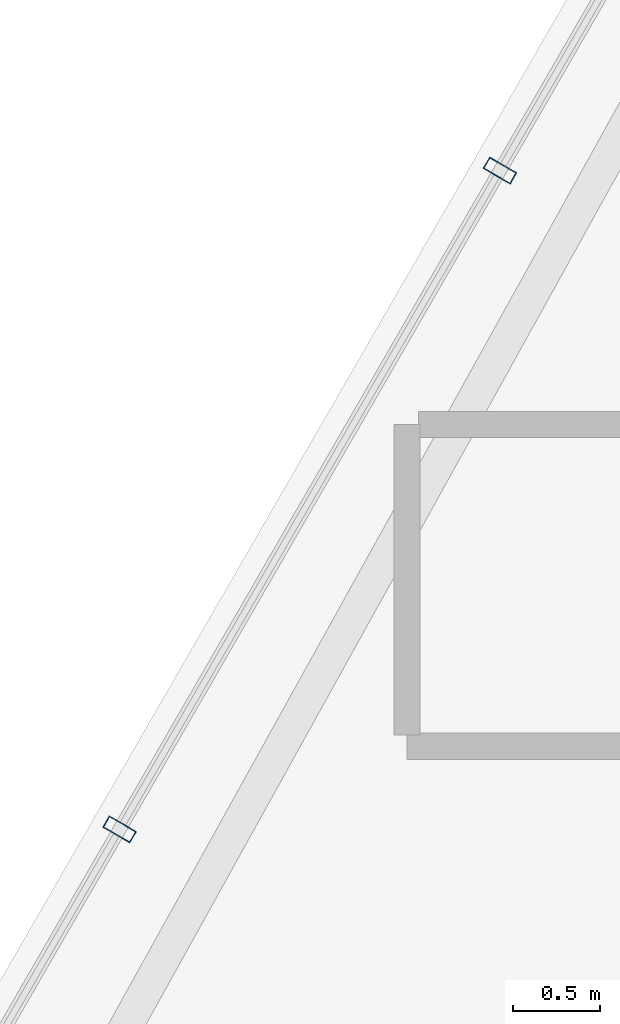
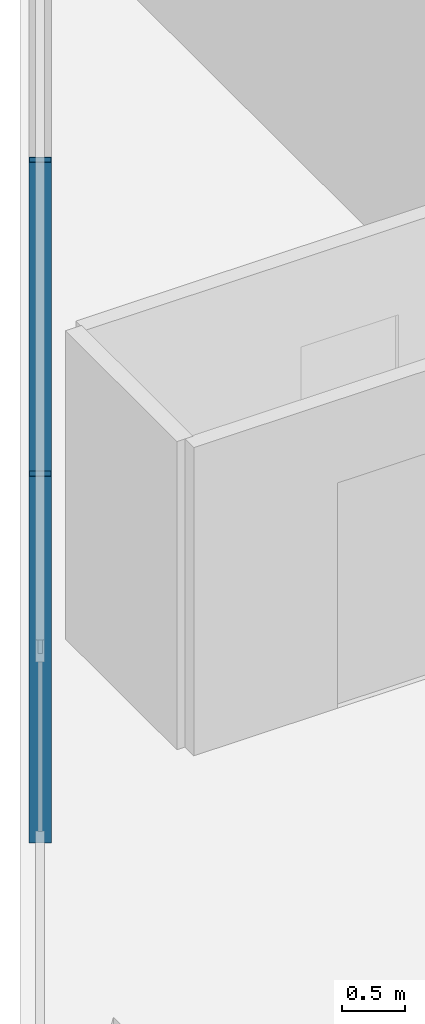
# One storey, part 4 of 29: 2 members, 1 element without a shape of its own.
"""IFC4 building model written with IfcOpenShell, lengths in metres."""

import ifcopenshell
import ifcopenshell.guid

model = None  # the IFC model being written
_history = None  # IfcOwnerHistory: only IFC2X3 demands one
_inside = {}  # id of a spatial element -> (the spatial element, [elements in it])
_under = {}  # id of a project, library or spatial element -> (it, [spatial elements below it])
_declared = {}  # id of a project -> (the project, [libraries it declares])
_typed = {}  # id of a type object -> (the type object, [elements of that type])
_made_of = {}  # id of a material, layer set ... -> (it, [elements and type objects made of it])


def new_model(schema):
    """Start an empty IFC model of exactly this schema.

    Asked for "IFC4X3", IfcOpenShell would pick the latest addendum, in which some entities
    have other attributes; the version numbers below select the first issue.
    IFC2X3 requires an IfcOwnerHistory on every rooted entity: one is made here for all.
    """
    global model, _history
    if schema == "IFC4X3":
        model = ifcopenshell.file(schema_version=(4, 3, 0, 0))
    else:
        model = ifcopenshell.file(schema=schema)
    _inside.clear()
    _under.clear()
    _declared.clear()
    _typed.clear()
    _made_of.clear()
    _history = None
    if model.schema == "IFC2X3":
        org = make("IfcOrganization", Name="unknown")
        user = make(
            "IfcPersonAndOrganization",
            ThePerson=make("IfcPerson", FamilyName="unknown"),
            TheOrganization=org,
        )
        app = make(
            "IfcApplication",
            ApplicationDeveloper=org,
            Version="unknown",
            ApplicationFullName="unknown",
            ApplicationIdentifier="unknown",
        )
        _history = make(
            "IfcOwnerHistory",
            OwningUser=user,
            OwningApplication=app,
            ChangeAction="ADDED",
            CreationDate=0,
        )
    return model


def make(cls, **values):
    """One entity of the class cls with the attributes given. An attribute that is None is left unset."""
    return model.create_entity(
        cls, **{name: value for name, value in values.items() if value is not None}
    )


def rooted(cls, **values):
    """An entity with a GlobalId (a new one), such as an element, a storey or a relation."""
    return make(cls, GlobalId=ifcopenshell.guid.new(), OwnerHistory=_history, **values)


def si_unit(unit_type, name, prefix=None):
    """IfcSIUnit, for example si_unit("LENGTHUNIT", "METRE", prefix="MILLI")."""
    return make("IfcSIUnit", UnitType=unit_type, Prefix=prefix, Name=name)


def assignment(units):
    """IfcUnitAssignment: the units of a project."""
    return None if units is None else make("IfcUnitAssignment", Units=units)


def point(xyz):
    """IfcCartesianPoint."""
    return None if xyz is None else make("IfcCartesianPoint", Coordinates=xyz)


def direction(xyz):
    """IfcDirection."""
    return None if xyz is None else make("IfcDirection", DirectionRatios=xyz)


def frame(location, z_axis=None, x_axis=None):
    """IfcAxis2Placement3D, a coordinate frame: its origin and axes. An axis left out is left unset."""
    return make(
        "IfcAxis2Placement3D",
        Location=point(location),
        Axis=direction(z_axis),
        RefDirection=direction(x_axis),
    )


def frame_2d(location, x_axis=None):
    """IfcAxis2Placement2D, a coordinate frame in the plane: its origin and x axis."""
    return make(
        "IfcAxis2Placement2D", Location=point(location), RefDirection=direction(x_axis)
    )


def origin():
    """The frame at (0, 0, 0) with its axes left unset."""
    return frame((0.0, 0.0, 0.0))


def origin_2d():
    """The frame at (0, 0) in the plane with its x axis left unset."""
    return frame_2d((0.0, 0.0))


def place(relative_to, where):
    """IfcLocalPlacement: puts the frame where relative to a parent placement (None: the world)."""
    return make(
        "IfcLocalPlacement", PlacementRelTo=relative_to, RelativePlacement=where
    )


def context(
    kind, dimensions, precision=None, world=None, true_north=None, identifier=None
):
    """IfcGeometricRepresentationContext, for example the 3D "Model" context."""
    return make(
        "IfcGeometricRepresentationContext",
        ContextIdentifier=identifier,
        ContextType=kind,
        CoordinateSpaceDimension=dimensions,
        Precision=precision,
        WorldCoordinateSystem=world,
        TrueNorth=true_north,
    )


def subcontext(parent, identifier, kind, view, scale=None):
    """IfcGeometricRepresentationSubContext, for example "Body" below "Model"."""
    return make(
        "IfcGeometricRepresentationSubContext",
        ContextIdentifier=identifier,
        ContextType=kind,
        ParentContext=parent,
        TargetScale=scale,
        TargetView=view,
    )


def project(units=None, contexts=None):
    """IfcProject with its units and contexts."""
    return rooted(
        "IfcProject",
        Name="project",
        RepresentationContexts=contexts,
        UnitsInContext=assignment(units),
    )


def spatial(cls, under=None, at=None, **own):
    """A site, building, storey or space (cls), placed at a placement, below another one or the project."""
    s = rooted(cls, ObjectPlacement=at, **own)
    if under is not None:
        _under.setdefault(under.id(), (under, []))[1].append(s)
    return s


def profile(cls, at=None, kind="AREA", **sizes):
    """A parametric profile (cls). Its sizes go by their IFC names, for example OverallWidth=200.0."""
    return make(cls, ProfileType=kind, Position=at, **sizes)


def hollow_rectangle(**sizes):
    """IfcRectangleHollowProfileDef."""
    return profile("IfcRectangleHollowProfileDef", **sizes)


def extrude(swept, where, along, depth):
    """IfcExtrudedAreaSolid: the profile swept, set in the frame where, extruded along a direction by depth."""
    return make(
        "IfcExtrudedAreaSolid",
        SweptArea=swept,
        Position=where,
        ExtrudedDirection=direction(along),
        Depth=depth,
    )


def shape(context_of_items, identifier, shape_type, items):
    """IfcShapeRepresentation: the items that make up one representation, for example the "Body"."""
    return make(
        "IfcShapeRepresentation",
        ContextOfItems=context_of_items,
        RepresentationIdentifier=identifier,
        RepresentationType=shape_type,
        Items=items,
    )


def material(Name=None, Category=None):
    """IfcMaterial."""
    return make("IfcMaterial", Name=Name, Category=Category)


def layer(
    of_material, thickness, ventilated=None, Name=None, Category=None, Priority=None
):
    """IfcMaterialLayer: one layer of a wall or slab, of a material (None: an air gap)."""
    return make(
        "IfcMaterialLayer",
        Material=of_material,
        LayerThickness=thickness,
        IsVentilated=ventilated,
        Name=Name,
        Category=Category,
        Priority=Priority,
    )


def layer_set(layers, Name=None):
    """IfcMaterialLayerSet."""
    return make("IfcMaterialLayerSet", MaterialLayers=layers, LayerSetName=Name)


def material_profile(
    of_material, cross_section, Name=None, Category=None, Priority=None
):
    """IfcMaterialProfile: a cross section and its material."""
    return make(
        "IfcMaterialProfile",
        Name=Name,
        Material=of_material,
        Profile=cross_section,
        Priority=Priority,
        Category=Category,
    )


def profile_set(profiles, Name=None, composite=None):
    """IfcMaterialProfileSet."""
    return make(
        "IfcMaterialProfileSet",
        Name=Name,
        MaterialProfiles=profiles,
        CompositeProfile=composite,
    )


def made_of(thing, what):
    """Note that an element or type object is made of a material, layer set ...; save() writes the relation."""
    if what is not None:
        _made_of.setdefault(what.id(), (what, []))[1].append(thing)
    return thing


def type_object(cls, material=None, **own):
    """A type object (cls), such as IfcWallType, which elements share."""
    return made_of(rooted(cls, **own), material)


def element(
    cls,
    number,
    at=None,
    inside=None,
    cuts=None,
    type_object=None,
    material=None,
    context=None,
    identifier="Body",
    shape_type=None,
    held_by="IfcProductDefinitionShape",
    body=None,
    shapes=None,
    **own,
):
    """One element of the class cls, such as IfcWall. Its Tag is "e" and its number.

    at: its placement. inside: the storey or other place that contains it. cuts: it is an
    opening in that element (IfcRelVoidsElement). A single representation is given by context,
    identifier, shape_type and body (its items); several are given by shapes. held_by: the class
    of the entity that holds the representations. save() writes the other relations.
    """
    e = rooted(cls, Tag="e%d" % number, ObjectPlacement=at, **own)
    if body is not None:
        shapes = [shape(context, identifier, shape_type, body)]
    if shapes is not None:
        e.Representation = make(held_by, Representations=shapes)
    if inside is not None:
        _inside.setdefault(inside.id(), (inside, []))[1].append(e)
    if cuts is not None:
        rooted(
            "IfcRelVoidsElement", RelatingBuildingElement=cuts, RelatedOpeningElement=e
        )
    if type_object is not None:
        _typed.setdefault(type_object.id(), (type_object, []))[1].append(e)
    return made_of(e, material)


def aggregate(whole, parts):
    """IfcRelAggregates: a whole, such as a stair, and the parts it consists of."""
    return rooted("IfcRelAggregates", RelatingObject=whole, RelatedObjects=parts)


def save(model, path):
    """Write the relations noted so far, then the file.

    IfcRelAggregates (storeys below a building ...), IfcRelContainedInSpatialStructure (elements
    in a storey), IfcRelDefinesByType, IfcRelAssociatesMaterial and IfcRelDeclares: one each for
    every whole, place, type object, material and project.
    """
    for whole, parts in _under.values():
        aggregate(whole, parts)
    for where, things in _inside.values():
        rooted(
            "IfcRelContainedInSpatialStructure",
            RelatedElements=things,
            RelatingStructure=where,
        )
    for kind, things in _typed.values():
        rooted("IfcRelDefinesByType", RelatedObjects=things, RelatingType=kind)
    for what, things in _made_of.values():
        rooted("IfcRelAssociatesMaterial", RelatedObjects=things, RelatingMaterial=what)
    for by, libraries in _declared.values():
        rooted("IfcRelDeclares", RelatingContext=by, RelatedDefinitions=libraries)
    model.write(path)


model = new_model("IFC4")

# Units and contexts
model_context = context("Model", 3, precision=1e-05, world=origin(), true_north=direction((0.0, 1.0)))
body_context = subcontext(model_context, "Body", "Model", "MODEL_VIEW")
ifc_project = project(units=[si_unit("LENGTHUNIT", "METRE"), si_unit("AREAUNIT", "SQUARE_METRE"), si_unit("VOLUMEUNIT", "CUBIC_METRE"), si_unit("PLANEANGLEUNIT", "RADIAN"), si_unit("MASSUNIT", "GRAM", prefix="KILO")], contexts=[model_context])

# Site, building, storey
site_placement = place(None, origin())
site = spatial("IfcSite", under=ifc_project, at=site_placement, CompositionType="ELEMENT")
building_placement = place(site_placement, origin())
building = spatial("IfcBuilding", under=site, at=building_placement, Name="Ndaravel Arena Tower", CompositionType="ELEMENT")
storey_placement = place(building_placement, frame((0.0, 0.0, 244.60009765625)))
storey = spatial("IfcBuildingStorey", under=building, at=storey_placement, Name="L59", CompositionType="ELEMENT", Elevation=244.60009765625)

# Curtain wall, members
ifc_material_1 = material(Name="Aluminium", Category="aluminium")
ifc_layer = layer(ifc_material_1, 0.179931640625)
ifc_layer_set = layer_set([ifc_layer], Name="Aluminium")
curtain_wall_type = type_object("IfcCurtainWallType", Name="CW-SYS-03", PredefinedType="NOTDEFINED", material=ifc_layer_set)
curtain_wall_placement = place(storey_placement, origin())
curtain_wall = element("IfcCurtainWall", 1, at=curtain_wall_placement, inside=storey, type_object=curtain_wall_type, Name="L59 Faceted Crystal Curtain Wall CW-L59-E05", PredefinedType="NOTDEFINED")
ifc_material_2 = material(Name="Aluminium", Category="aluminium")
ifc_material_profile = material_profile(ifc_material_2, hollow_rectangle(XDim=0.074951171875, YDim=0.179931640625, WallThickness=0.00390625, at=origin_2d()), Name="CW MULLION 75x180x4")
ifc_profile_set = profile_set([ifc_material_profile], Name="Aluminium")
member_type = type_object("IfcMemberType", Name="MEM-CW-MUL180", PredefinedType="MULLION", material=ifc_profile_set)
member_1_placement = place(storey_placement, frame((23.38037109375, 18.46142578125, 0.0), z_axis=(0.0, 0.0, 1.0), x_axis=(-0.5, -0.866025403784, 0.0)))
member_1 = element("IfcMember", 2, at=member_1_placement, type_object=member_type, Name="CW-L59-E05 Mullion 07", PredefinedType="MULLION", context=body_context, shape_type="SweptSolid", body=[
    extrude(hollow_rectangle(XDim=0.074951171875, YDim=0.179931640625, WallThickness=0.00390625, at=origin_2d()), origin(), (0.0, 0.0, 1.0), 3.579833984375),
])
member_2_placement = place(storey_placement, frame((21.1923828125, 14.671630859375, 0.0), z_axis=(0.0, 0.0, 1.0), x_axis=(-0.5, -0.866025403784, 0.0)))
member_2 = element("IfcMember", 3, at=member_2_placement, type_object=member_type, Name="CW-L59-E05 Mullion 08", PredefinedType="MULLION", context=body_context, shape_type="SweptSolid", body=[
    extrude(hollow_rectangle(XDim=0.074951171875, YDim=0.179931640625, WallThickness=0.00390625, at=origin_2d()), origin(), (0.0, 0.0, 1.0), 3.579833984375),
])
aggregate(curtain_wall, [member_1, member_2])

save(model, "model.ifc")
